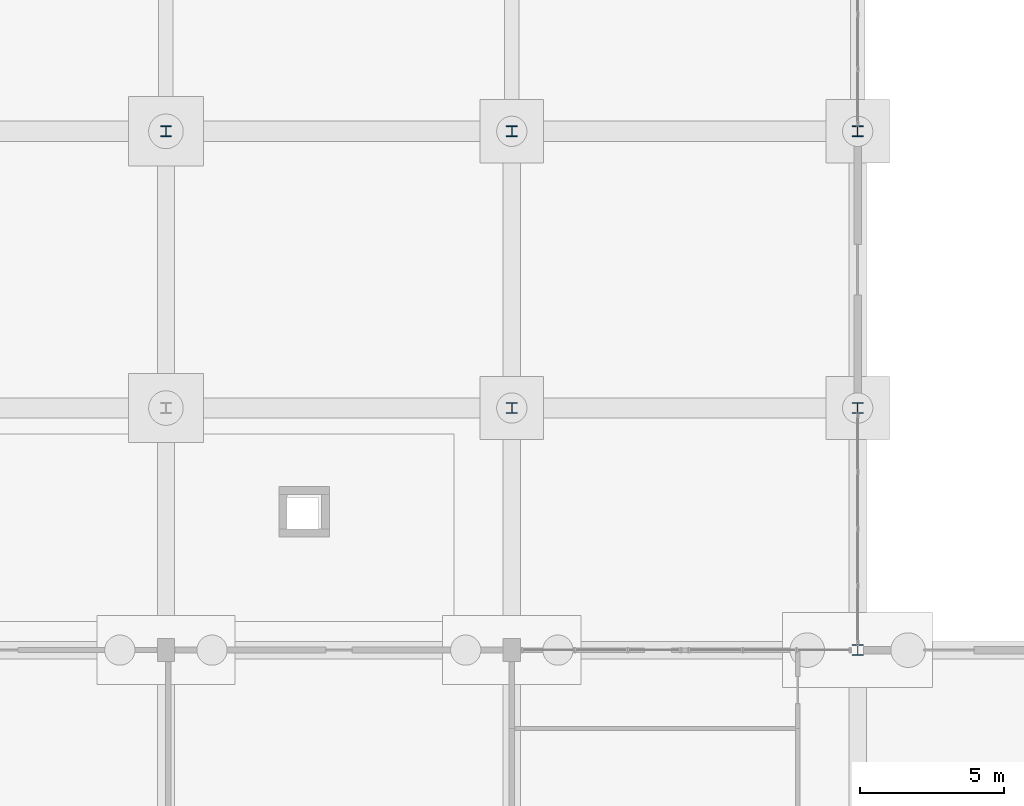
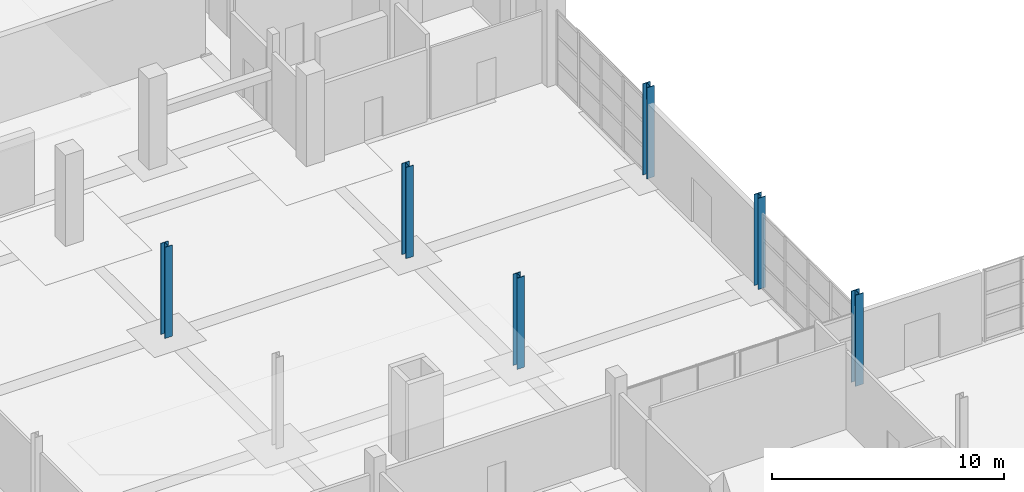
# One storey, part 9 of 82: 6 columns.
"""IFC4 building model written with IfcOpenShell, lengths in metres."""

from ifc_helpers import new_model, si_unit, direction, frame, origin, origin_2d, place, context, subcontext, project, spatial, i_section, extrude, material, material_profile, profile_set, type_object, element, save


model = new_model("IFC4")

# Units and contexts
model_context = context("Model", 3, precision=1e-05, world=origin(), true_north=direction((0.0, 1.0)))
body_context = subcontext(model_context, "Body", "Model", "MODEL_VIEW")
ifc_project = project(units=[si_unit("LENGTHUNIT", "METRE"), si_unit("AREAUNIT", "SQUARE_METRE"), si_unit("VOLUMEUNIT", "CUBIC_METRE"), si_unit("PLANEANGLEUNIT", "RADIAN"), si_unit("MASSUNIT", "GRAM", prefix="KILO")], contexts=[model_context])

# Site, building, storey
site_placement = place(None, origin())
site = spatial("IfcSite", under=ifc_project, at=site_placement, CompositionType="ELEMENT")
building_placement = place(site_placement, origin())
building = spatial("IfcBuilding", under=site, at=building_placement, Name="Kelmvaro Bay Concert Hall", CompositionType="ELEMENT")
storey_placement = place(building_placement, origin())
storey = spatial("IfcBuildingStorey", under=building, at=storey_placement, Name="L00", CompositionType="ELEMENT", Elevation=0.0)

# Columns
ifc_material_1 = material(Name="Steel ASTM A992 Grade 50", Category="steel")
ifc_material_profile_1 = material_profile(ifc_material_1, i_section(OverallWidth=0.373046875, OverallDepth=0.373046875, WebThickness=0.016357421875, FlangeThickness=0.026123046875, at=origin_2d()), Name="W14X132")
ifc_profile_set_1 = profile_set([ifc_material_profile_1], Name="Steel ASTM A992 Grade 50")
column_type_1 = type_object("IfcColumnType", Name="Concourse Link Column W14x132", PredefinedType="COLUMN", material=ifc_profile_set_1)
for number, where, z_axis, x_axis, name in (
    (1, (36.0, 57.0, 0.0), (0.0, 0.0, 1.0), (1.0, 0.0, 0.0), "L00 Column V5W-36-570"),
    (2, (48.0, 47.39990234375, 0.0), (0.0, 0.0, 1.0), (1.0, 0.0, 0.0), "L00 Column V5W-48-474"),
    (3, (48.0, 57.0, 0.0), (0.0, 0.0, 1.0), (1.0, 0.0, 0.0), "L00 Column V5W-48-570"),
    (4, (60.0, 47.39990234375, 0.0), (0.0, 0.0, 1.0), (1.0, 0.0, 0.0), "L00 Column V5W-60-474"),
    (5, (60.0, 57.0, 0.0), (0.0, 0.0, 1.0), (1.0, 0.0, 0.0), "L00 Column V5W-60-570"),
):
    element("IfcColumn", number, at=place(storey_placement, frame(where, z_axis=z_axis, x_axis=x_axis)), inside=storey, type_object=column_type_1, Name=name, PredefinedType="COLUMN", context=body_context, shape_type="SweptSolid", body=[
        extrude(i_section(OverallWidth=0.373046875, OverallDepth=0.373046875, WebThickness=0.016357421875, FlangeThickness=0.026123046875, at=origin_2d()), origin(), (0.0, 0.0, 1.0), 4.800048828125),
    ])
ifc_material_2 = material(Name="Steel ASTM A992 Grade 50", Category="steel")
ifc_material_profile_2 = material_profile(ifc_material_2, i_section(OverallWidth=0.39892578125, OverallDepth=0.385986328125, WebThickness=0.02099609375, FlangeThickness=0.033203125, at=origin_2d()), Name="W14X176")
ifc_profile_set_2 = profile_set([ifc_material_profile_2], Name="Steel ASTM A992 Grade 50")
column_type_2 = type_object("IfcColumnType", Name="Foyer Heavy Column W14x176", PredefinedType="COLUMN", material=ifc_profile_set_2)
column_placement = place(storey_placement, frame((60.0, 39.0, 0.0), z_axis=(0.0, 0.0, 1.0), x_axis=(1.0, 0.0, 0.0)))
element("IfcColumn", 6, at=column_placement, inside=storey, type_object=column_type_2, Name="L00 Column V5S-60-390", PredefinedType="COLUMN", context=body_context, shape_type="SweptSolid", body=[
    extrude(i_section(OverallWidth=0.39892578125, OverallDepth=0.385986328125, WebThickness=0.02099609375, FlangeThickness=0.033203125, at=origin_2d()), origin(), (0.0, 0.0, 1.0), 4.800048828125),
])

save(model, "model.ifc")
